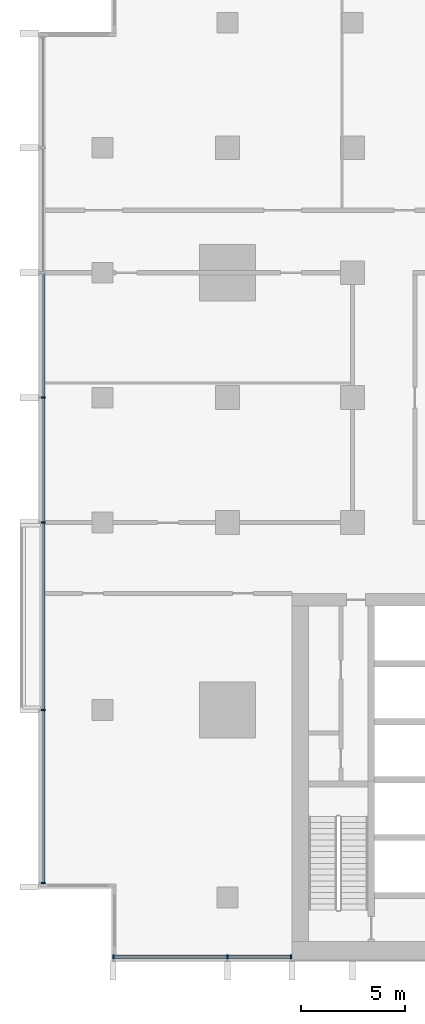
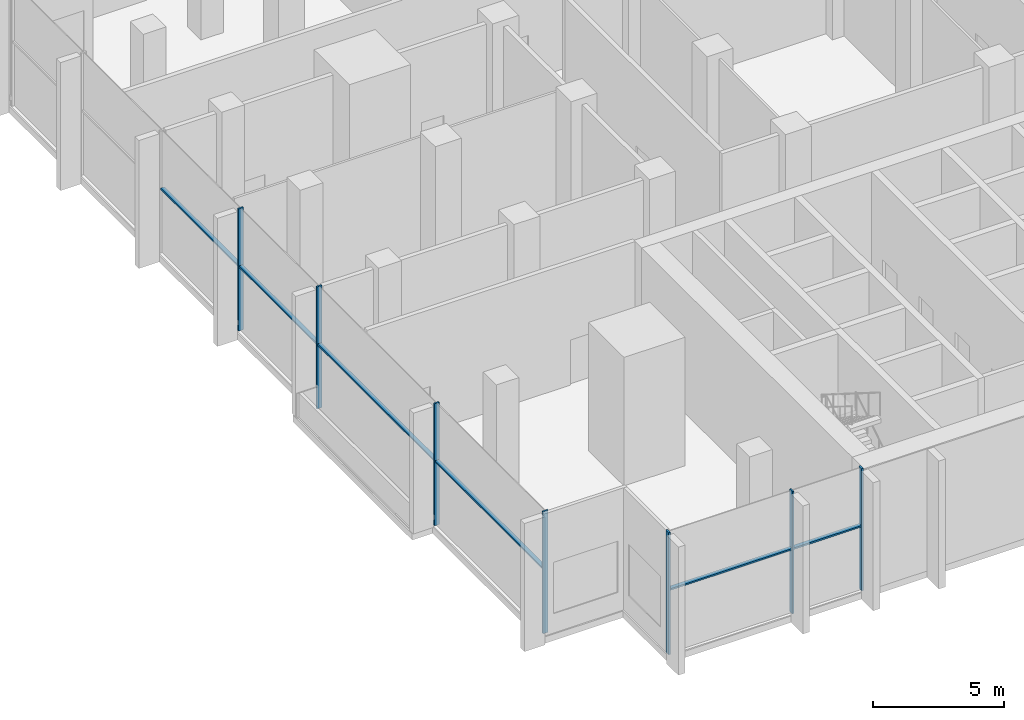
# One storey, part 2 of 16: 13 members, 2 elements without a shape of their own.
"""IFC4 building model written with IfcOpenShell, lengths in metres."""

from ifc_helpers import new_model, si_unit, direction, frame, origin, origin_2d, place, context, subcontext, project, spatial, rectangle, extrude, material, material_profile, profile_set, type_object, element, aggregate, save


model = new_model("IFC4")

# Units and contexts
model_context = context("Model", 3, precision=1e-05, world=origin(), true_north=direction((0.0, 1.0)))
body_context = subcontext(model_context, "Body", "Model", "MODEL_VIEW")
ifc_project = project(units=[si_unit("LENGTHUNIT", "METRE"), si_unit("AREAUNIT", "SQUARE_METRE"), si_unit("VOLUMEUNIT", "CUBIC_METRE"), si_unit("PLANEANGLEUNIT", "RADIAN"), si_unit("MASSUNIT", "GRAM", prefix="KILO")], contexts=[model_context])

# Site, building, storey
site_placement = place(None, origin())
site = spatial("IfcSite", under=ifc_project, at=site_placement, CompositionType="ELEMENT")
building_placement = place(site_placement, origin())
building = spatial("IfcBuilding", under=site, at=building_placement, Name="Finial Court Residences", CompositionType="ELEMENT")
storey_placement = place(building_placement, frame((0.0, 0.0, 127.89990234375)))
storey = spatial("IfcBuildingStorey", under=building, at=storey_placement, Name="L32", CompositionType="ELEMENT", Elevation=127.89990234375)

# Curtain wall, members
ifc_material = material(Name="Bronze anodised aluminium", Category="aluminium")
curtain_wall_type = type_object("IfcCurtainWallType", Name="Sky amenity glazing", PredefinedType="NOTDEFINED", material=ifc_material)
curtain_wall_1_placement = place(storey_placement, origin())
curtain_wall_1 = element("IfcCurtainWall", 1, at=curtain_wall_1_placement, inside=storey, type_object=curtain_wall_type, Name="E-L32-CW-S3", PredefinedType="NOTDEFINED")
ifc_material_profile_1 = material_profile(ifc_material, rectangle(XDim=0.22509765625, YDim=0.074951171875, at=origin_2d()), Name="CW3 mullion 75 x 225")
ifc_profile_set_1 = profile_set([ifc_material_profile_1], Name="Bronze anodised aluminium")
member_type_1 = type_object("IfcMemberType", Name="CW3 mullion 75 x 225", PredefinedType="MULLION", material=ifc_profile_set_1)
member_1_placement = place(storey_placement, frame((-21.96240234375, -25.35009765625, 0.0), z_axis=(0.0, 0.0, 1.0), x_axis=(0.0, 1.0, 0.0)))
member_1 = element("IfcMember", 2, at=member_1_placement, type_object=member_type_1, Name="CW3 mullion 1", PredefinedType="MULLION", context=body_context, shape_type="SweptSolid", body=[
    extrude(rectangle(XDim=0.22509765625, YDim=0.074951171875, at=origin_2d()), origin(), (0.0, 0.0, 1.0), 5.7001953125),
])
member_2_placement = place(storey_placement, frame((-16.5, -25.35009765625, 0.0), z_axis=(0.0, 0.0, 1.0), x_axis=(0.0, 1.0, 0.0)))
member_2 = element("IfcMember", 3, at=member_2_placement, type_object=member_type_1, Name="CW3 mullion 2", PredefinedType="MULLION", context=body_context, shape_type="SweptSolid", body=[
    extrude(rectangle(XDim=0.22509765625, YDim=0.074951171875, at=origin_2d()), origin(), (0.0, 0.0, 1.0), 5.7001953125),
])
member_3_placement = place(storey_placement, frame((-13.4375, -25.35009765625, 0.0), z_axis=(0.0, 0.0, 1.0), x_axis=(0.0, 1.0, 0.0)))
member_3 = element("IfcMember", 4, at=member_3_placement, type_object=member_type_1, Name="CW3 mullion 3", PredefinedType="MULLION", context=body_context, shape_type="SweptSolid", body=[
    extrude(rectangle(XDim=0.22509765625, YDim=0.074951171875, at=origin_2d()), origin(), (0.0, 0.0, 1.0), 5.7001953125),
])

curtain_wall_2_placement = place(storey_placement, origin())
curtain_wall_2 = element("IfcCurtainWall", 5, at=curtain_wall_2_placement, inside=storey, type_object=curtain_wall_type, Name="E-L32-CW-W5", PredefinedType="NOTDEFINED")
member_4_placement = place(storey_placement, frame((-25.35009765625, -21.8125, 0.0), z_axis=(0.0, 0.0, 1.0), x_axis=(-1.0, 0.0, 0.0)))
member_4 = element("IfcMember", 6, at=member_4_placement, type_object=member_type_1, Name="CW3 mullion 1", PredefinedType="MULLION", context=body_context, shape_type="SweptSolid", body=[
    extrude(rectangle(XDim=0.22509765625, YDim=0.074951171875, at=origin_2d()), origin(), (0.0, 0.0, 1.0), 5.7001953125),
])
member_5_placement = place(storey_placement, frame((-25.35009765625, -13.5, 0.0), z_axis=(0.0, 0.0, 1.0), x_axis=(-1.0, 0.0, 0.0)))
member_5 = element("IfcMember", 7, at=member_5_placement, type_object=member_type_1, Name="CW3 mullion 2", PredefinedType="MULLION", context=body_context, shape_type="SweptSolid", body=[
    extrude(rectangle(XDim=0.22509765625, YDim=0.074951171875, at=origin_2d()), origin(), (0.0, 0.0, 1.0), 5.7001953125),
])
member_6_placement = place(storey_placement, frame((-25.35009765625, -4.5, 0.0), z_axis=(0.0, 0.0, 1.0), x_axis=(-1.0, 0.0, 0.0)))
member_6 = element("IfcMember", 8, at=member_6_placement, type_object=member_type_1, Name="CW3 mullion 3", PredefinedType="MULLION", context=body_context, shape_type="SweptSolid", body=[
    extrude(rectangle(XDim=0.22509765625, YDim=0.074951171875, at=origin_2d()), origin(), (0.0, 0.0, 1.0), 5.7001953125),
])
member_7_placement = place(storey_placement, frame((-25.35009765625, 1.5, 0.0), z_axis=(0.0, 0.0, 1.0), x_axis=(-1.0, 0.0, 0.0)))
member_7 = element("IfcMember", 9, at=member_7_placement, type_object=member_type_1, Name="CW3 mullion 4", PredefinedType="MULLION", context=body_context, shape_type="SweptSolid", body=[
    extrude(rectangle(XDim=0.22509765625, YDim=0.074951171875, at=origin_2d()), origin(), (0.0, 0.0, 1.0), 5.7001953125),
])

# Member
ifc_material_profile_2 = material_profile(ifc_material, rectangle(XDim=0.175048828125, YDim=0.074951171875, at=origin_2d()), Name="CW3 transom 75 x 175")
ifc_profile_set_2 = profile_set([ifc_material_profile_2], Name="Bronze anodised aluminium")
member_type_2 = type_object("IfcMemberType", Name="CW3 transom 75 x 175", PredefinedType="USERDEFINED", material=ifc_profile_set_2)
member_8_placement = place(storey_placement, frame((-21.925048828125, -25.35009765625, 3.0), z_axis=(1.0, 0.0, 0.0), x_axis=(0.0, 1.0, 0.0)))
member_8 = element("IfcMember", 10, at=member_8_placement, type_object=member_type_2, Name="CW3 transom 1.1", ObjectType="TRANSOM", PredefinedType="USERDEFINED", context=body_context, shape_type="SweptSolid", body=[
    extrude(rectangle(XDim=0.175048828125, YDim=0.074951171875, at=origin_2d()), origin(), (0.0, 0.0, 1.0), 5.387451171875),
])

member_9_placement = place(storey_placement, frame((-16.46240234375, -25.35009765625, 3.0), z_axis=(1.0, 0.0, 0.0), x_axis=(0.0, 1.0, 0.0)))
member_9 = element("IfcMember", 11, at=member_9_placement, type_object=member_type_2, Name="CW3 transom 2.1", ObjectType="TRANSOM", PredefinedType="USERDEFINED", context=body_context, shape_type="SweptSolid", body=[
    extrude(rectangle(XDim=0.175048828125, YDim=0.074951171875, at=origin_2d()), origin(), (0.0, 0.0, 1.0), 2.9873046875),
])

aggregate(curtain_wall_1, [member_1, member_2, member_3, member_8, member_9])

member_10_placement = place(storey_placement, frame((-25.35009765625, -21.77490234375, 3.0), z_axis=(0.0, 1.0, 0.0), x_axis=(-1.0, 0.0, 0.0)))
member_10 = element("IfcMember", 12, at=member_10_placement, type_object=member_type_2, Name="CW3 transom 1.1", ObjectType="TRANSOM", PredefinedType="USERDEFINED", context=body_context, shape_type="SweptSolid", body=[
    extrude(rectangle(XDim=0.175048828125, YDim=0.074951171875, at=origin_2d()), origin(), (0.0, 0.0, 1.0), 8.2373046875),
])

member_11_placement = place(storey_placement, frame((-25.35009765625, -13.46240234375, 3.0), z_axis=(0.0, 1.0, 0.0), x_axis=(-1.0, 0.0, 0.0)))
member_11 = element("IfcMember", 13, at=member_11_placement, type_object=member_type_2, Name="CW3 transom 2.1", ObjectType="TRANSOM", PredefinedType="USERDEFINED", context=body_context, shape_type="SweptSolid", body=[
    extrude(rectangle(XDim=0.175048828125, YDim=0.074951171875, at=origin_2d()), origin(), (0.0, 0.0, 1.0), 8.9248046875),
])

member_12_placement = place(storey_placement, frame((-25.35009765625, -4.46240234375, 3.0), z_axis=(0.0, 1.0, 0.0), x_axis=(-1.0, 0.0, 0.0)))
member_12 = element("IfcMember", 14, at=member_12_placement, type_object=member_type_2, Name="CW3 transom 3.1", ObjectType="TRANSOM", PredefinedType="USERDEFINED", context=body_context, shape_type="SweptSolid", body=[
    extrude(rectangle(XDim=0.175048828125, YDim=0.074951171875, at=origin_2d()), origin(), (0.0, 0.0, 1.0), 5.9248046875),
])

member_13_placement = place(storey_placement, frame((-25.35009765625, 1.53759765625, 3.0), z_axis=(0.0, 1.0, 0.0), x_axis=(-1.0, 0.0, 0.0)))
member_13 = element("IfcMember", 15, at=member_13_placement, type_object=member_type_2, Name="CW3 transom 4.1", ObjectType="TRANSOM", PredefinedType="USERDEFINED", context=body_context, shape_type="SweptSolid", body=[
    extrude(rectangle(XDim=0.175048828125, YDim=0.074951171875, at=origin_2d()), origin(), (0.0, 0.0, 1.0), 5.9248046875),
])

aggregate(curtain_wall_2, [member_4, member_5, member_6, member_7, member_10, member_11, member_12, member_13])

save(model, "model.ifc")
